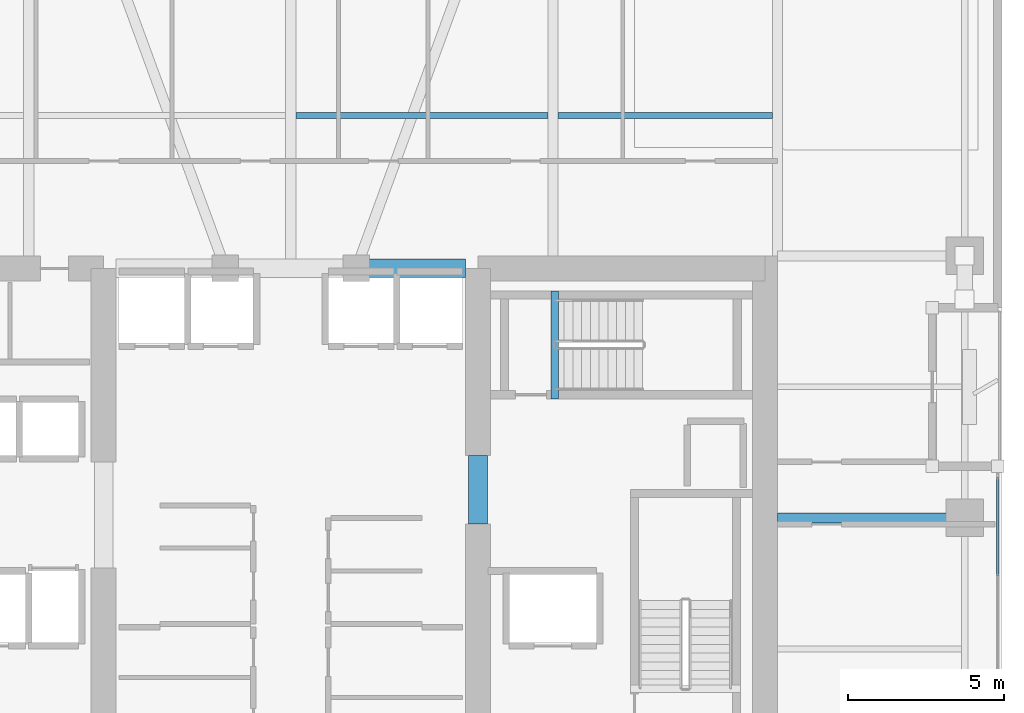
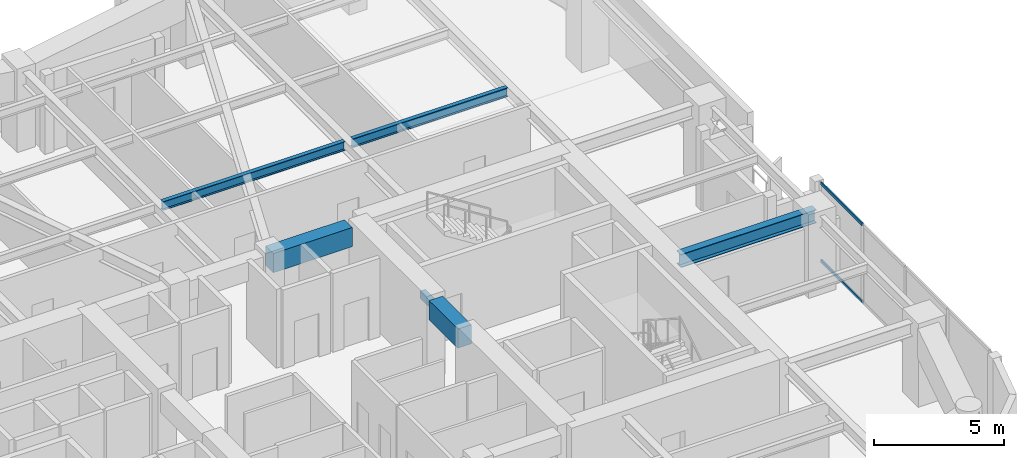
# One storey, part 10 of 30: 6 beams, 2 members, 1 element without a shape of its own.
"""IFC4 building model written with IfcOpenShell, lengths in metres."""

import ifcopenshell
import ifcopenshell.guid

model = None  # the IFC model being written
_history = None  # IfcOwnerHistory: only IFC2X3 demands one
_inside = {}  # id of a spatial element -> (the spatial element, [elements in it])
_under = {}  # id of a project, library or spatial element -> (it, [spatial elements below it])
_declared = {}  # id of a project -> (the project, [libraries it declares])
_typed = {}  # id of a type object -> (the type object, [elements of that type])
_made_of = {}  # id of a material, layer set ... -> (it, [elements and type objects made of it])


def new_model(schema):
    """Start an empty IFC model of exactly this schema.

    Asked for "IFC4X3", IfcOpenShell would pick the latest addendum, in which some entities
    have other attributes; the version numbers below select the first issue.
    IFC2X3 requires an IfcOwnerHistory on every rooted entity: one is made here for all.
    """
    global model, _history
    if schema == "IFC4X3":
        model = ifcopenshell.file(schema_version=(4, 3, 0, 0))
    else:
        model = ifcopenshell.file(schema=schema)
    _inside.clear()
    _under.clear()
    _declared.clear()
    _typed.clear()
    _made_of.clear()
    _history = None
    if model.schema == "IFC2X3":
        org = make("IfcOrganization", Name="unknown")
        user = make(
            "IfcPersonAndOrganization",
            ThePerson=make("IfcPerson", FamilyName="unknown"),
            TheOrganization=org,
        )
        app = make(
            "IfcApplication",
            ApplicationDeveloper=org,
            Version="unknown",
            ApplicationFullName="unknown",
            ApplicationIdentifier="unknown",
        )
        _history = make(
            "IfcOwnerHistory",
            OwningUser=user,
            OwningApplication=app,
            ChangeAction="ADDED",
            CreationDate=0,
        )
    return model


def make(cls, **values):
    """One entity of the class cls with the attributes given. An attribute that is None is left unset."""
    return model.create_entity(
        cls, **{name: value for name, value in values.items() if value is not None}
    )


def rooted(cls, **values):
    """An entity with a GlobalId (a new one), such as an element, a storey or a relation."""
    return make(cls, GlobalId=ifcopenshell.guid.new(), OwnerHistory=_history, **values)


def si_unit(unit_type, name, prefix=None):
    """IfcSIUnit, for example si_unit("LENGTHUNIT", "METRE", prefix="MILLI")."""
    return make("IfcSIUnit", UnitType=unit_type, Prefix=prefix, Name=name)


def assignment(units):
    """IfcUnitAssignment: the units of a project."""
    return None if units is None else make("IfcUnitAssignment", Units=units)


def point(xyz):
    """IfcCartesianPoint."""
    return None if xyz is None else make("IfcCartesianPoint", Coordinates=xyz)


def direction(xyz):
    """IfcDirection."""
    return None if xyz is None else make("IfcDirection", DirectionRatios=xyz)


def frame(location, z_axis=None, x_axis=None):
    """IfcAxis2Placement3D, a coordinate frame: its origin and axes. An axis left out is left unset."""
    return make(
        "IfcAxis2Placement3D",
        Location=point(location),
        Axis=direction(z_axis),
        RefDirection=direction(x_axis),
    )


def frame_2d(location, x_axis=None):
    """IfcAxis2Placement2D, a coordinate frame in the plane: its origin and x axis."""
    return make(
        "IfcAxis2Placement2D", Location=point(location), RefDirection=direction(x_axis)
    )


def origin():
    """The frame at (0, 0, 0) with its axes left unset."""
    return frame((0.0, 0.0, 0.0))


def origin_2d():
    """The frame at (0, 0) in the plane with its x axis left unset."""
    return frame_2d((0.0, 0.0))


def place(relative_to, where):
    """IfcLocalPlacement: puts the frame where relative to a parent placement (None: the world)."""
    return make(
        "IfcLocalPlacement", PlacementRelTo=relative_to, RelativePlacement=where
    )


def context(
    kind, dimensions, precision=None, world=None, true_north=None, identifier=None
):
    """IfcGeometricRepresentationContext, for example the 3D "Model" context."""
    return make(
        "IfcGeometricRepresentationContext",
        ContextIdentifier=identifier,
        ContextType=kind,
        CoordinateSpaceDimension=dimensions,
        Precision=precision,
        WorldCoordinateSystem=world,
        TrueNorth=true_north,
    )


def subcontext(parent, identifier, kind, view, scale=None):
    """IfcGeometricRepresentationSubContext, for example "Body" below "Model"."""
    return make(
        "IfcGeometricRepresentationSubContext",
        ContextIdentifier=identifier,
        ContextType=kind,
        ParentContext=parent,
        TargetScale=scale,
        TargetView=view,
    )


def project(units=None, contexts=None):
    """IfcProject with its units and contexts."""
    return rooted(
        "IfcProject",
        Name="project",
        RepresentationContexts=contexts,
        UnitsInContext=assignment(units),
    )


def spatial(cls, under=None, at=None, **own):
    """A site, building, storey or space (cls), placed at a placement, below another one or the project."""
    s = rooted(cls, ObjectPlacement=at, **own)
    if under is not None:
        _under.setdefault(under.id(), (under, []))[1].append(s)
    return s


def profile(cls, at=None, kind="AREA", **sizes):
    """A parametric profile (cls). Its sizes go by their IFC names, for example OverallWidth=200.0."""
    return make(cls, ProfileType=kind, Position=at, **sizes)


def rectangle(**sizes):
    """IfcRectangleProfileDef."""
    return profile("IfcRectangleProfileDef", **sizes)


def hollow_rectangle(**sizes):
    """IfcRectangleHollowProfileDef."""
    return profile("IfcRectangleHollowProfileDef", **sizes)


def i_section(**sizes):
    """IfcIShapeProfileDef."""
    return profile("IfcIShapeProfileDef", **sizes)


def extrude(swept, where, along, depth):
    """IfcExtrudedAreaSolid: the profile swept, set in the frame where, extruded along a direction by depth."""
    return make(
        "IfcExtrudedAreaSolid",
        SweptArea=swept,
        Position=where,
        ExtrudedDirection=direction(along),
        Depth=depth,
    )


def shape(context_of_items, identifier, shape_type, items):
    """IfcShapeRepresentation: the items that make up one representation, for example the "Body"."""
    return make(
        "IfcShapeRepresentation",
        ContextOfItems=context_of_items,
        RepresentationIdentifier=identifier,
        RepresentationType=shape_type,
        Items=items,
    )


def material(Name=None, Category=None):
    """IfcMaterial."""
    return make("IfcMaterial", Name=Name, Category=Category)


def layer(
    of_material, thickness, ventilated=None, Name=None, Category=None, Priority=None
):
    """IfcMaterialLayer: one layer of a wall or slab, of a material (None: an air gap)."""
    return make(
        "IfcMaterialLayer",
        Material=of_material,
        LayerThickness=thickness,
        IsVentilated=ventilated,
        Name=Name,
        Category=Category,
        Priority=Priority,
    )


def layer_set(layers, Name=None):
    """IfcMaterialLayerSet."""
    return make("IfcMaterialLayerSet", MaterialLayers=layers, LayerSetName=Name)


def material_profile(
    of_material, cross_section, Name=None, Category=None, Priority=None
):
    """IfcMaterialProfile: a cross section and its material."""
    return make(
        "IfcMaterialProfile",
        Name=Name,
        Material=of_material,
        Profile=cross_section,
        Priority=Priority,
        Category=Category,
    )


def profile_set(profiles, Name=None, composite=None):
    """IfcMaterialProfileSet."""
    return make(
        "IfcMaterialProfileSet",
        Name=Name,
        MaterialProfiles=profiles,
        CompositeProfile=composite,
    )


def made_of(thing, what):
    """Note that an element or type object is made of a material, layer set ...; save() writes the relation."""
    if what is not None:
        _made_of.setdefault(what.id(), (what, []))[1].append(thing)
    return thing


def type_object(cls, material=None, **own):
    """A type object (cls), such as IfcWallType, which elements share."""
    return made_of(rooted(cls, **own), material)


def element(
    cls,
    number,
    at=None,
    inside=None,
    cuts=None,
    type_object=None,
    material=None,
    context=None,
    identifier="Body",
    shape_type=None,
    held_by="IfcProductDefinitionShape",
    body=None,
    shapes=None,
    **own,
):
    """One element of the class cls, such as IfcWall. Its Tag is "e" and its number.

    at: its placement. inside: the storey or other place that contains it. cuts: it is an
    opening in that element (IfcRelVoidsElement). A single representation is given by context,
    identifier, shape_type and body (its items); several are given by shapes. held_by: the class
    of the entity that holds the representations. save() writes the other relations.
    """
    e = rooted(cls, Tag="e%d" % number, ObjectPlacement=at, **own)
    if body is not None:
        shapes = [shape(context, identifier, shape_type, body)]
    if shapes is not None:
        e.Representation = make(held_by, Representations=shapes)
    if inside is not None:
        _inside.setdefault(inside.id(), (inside, []))[1].append(e)
    if cuts is not None:
        rooted(
            "IfcRelVoidsElement", RelatingBuildingElement=cuts, RelatedOpeningElement=e
        )
    if type_object is not None:
        _typed.setdefault(type_object.id(), (type_object, []))[1].append(e)
    return made_of(e, material)


def aggregate(whole, parts):
    """IfcRelAggregates: a whole, such as a stair, and the parts it consists of."""
    return rooted("IfcRelAggregates", RelatingObject=whole, RelatedObjects=parts)


def save(model, path):
    """Write the relations noted so far, then the file.

    IfcRelAggregates (storeys below a building ...), IfcRelContainedInSpatialStructure (elements
    in a storey), IfcRelDefinesByType, IfcRelAssociatesMaterial and IfcRelDeclares: one each for
    every whole, place, type object, material and project.
    """
    for whole, parts in _under.values():
        aggregate(whole, parts)
    for where, things in _inside.values():
        rooted(
            "IfcRelContainedInSpatialStructure",
            RelatedElements=things,
            RelatingStructure=where,
        )
    for kind, things in _typed.values():
        rooted("IfcRelDefinesByType", RelatedObjects=things, RelatingType=kind)
    for what, things in _made_of.values():
        rooted("IfcRelAssociatesMaterial", RelatedObjects=things, RelatingMaterial=what)
    for by, libraries in _declared.values():
        rooted("IfcRelDeclares", RelatingContext=by, RelatedDefinitions=libraries)
    model.write(path)


model = new_model("IFC4")

# Units and contexts
model_context = context("Model", 3, precision=1e-05, world=origin(), true_north=direction((0.0, 1.0)))
body_context = subcontext(model_context, "Body", "Model", "MODEL_VIEW")
ifc_project = project(units=[si_unit("LENGTHUNIT", "METRE"), si_unit("AREAUNIT", "SQUARE_METRE"), si_unit("VOLUMEUNIT", "CUBIC_METRE"), si_unit("PLANEANGLEUNIT", "RADIAN"), si_unit("MASSUNIT", "GRAM", prefix="KILO")], contexts=[model_context])

# Site, building, storey
site_placement = place(None, origin())
site = spatial("IfcSite", under=ifc_project, at=site_placement, CompositionType="ELEMENT")
building_placement = place(site_placement, origin())
building = spatial("IfcBuilding", under=site, at=building_placement, Name="Kiyonajd Concourse Tower", CompositionType="ELEMENT")
storey_placement = place(building_placement, frame((0.0, 0.0, 174.0)))
storey = spatial("IfcBuildingStorey", under=building, at=storey_placement, Name="L44", CompositionType="ELEMENT", Elevation=174.0)

# Beams
ifc_material_1 = material(Name="Concrete C60/75", Category="concrete")
ifc_material_profile_1 = material_profile(ifc_material_1, rectangle(XDim=0.60009765625, YDim=0.89990234375, at=origin_2d()), Name="RCBM-600x900")
ifc_profile_set_1 = profile_set([ifc_material_profile_1], Name="Concrete C60/75")
beam_type_1 = type_object("IfcBeamType", Name="BM-COUP-900", PredefinedType="LINTEL", material=ifc_profile_set_1)
beam_1_placement = place(storey_placement, frame((50.10009765625, 44.0, 3.22998046875), z_axis=(1.0, 0.0, 0.0), x_axis=(0.0, 1.0, 0.0)))
element("IfcBeam", 1, at=beam_1_placement, inside=storey, type_object=beam_type_1, Name="L44 Core Coupling Beam N3", PredefinedType="LINTEL", context=body_context, shape_type="SweptSolid", body=[
    extrude(rectangle(XDim=0.60009765625, YDim=0.89990234375, at=origin_2d()), origin(), (0.0, 0.0, 1.0), 3.5),
])
beam_2_placement = place(storey_placement, frame((54.0, 35.800048828125, 3.22998046875), z_axis=(0.0, 1.0, 0.0), x_axis=(-1.0, 0.0, 0.0)))
element("IfcBeam", 2, at=beam_2_placement, inside=storey, type_object=beam_type_1, Name="L44 East Core Throat Coupling Lintel", PredefinedType="LINTEL", context=body_context, shape_type="SweptSolid", body=[
    extrude(rectangle(XDim=0.60009765625, YDim=0.89990234375, at=origin_2d()), origin(), (0.0, 0.0, 1.0), 2.199951171875),
])
ifc_material_2 = material(Name="Steel ASTM A992 Grade 50", Category="steel")
ifc_material_profile_2 = material_profile(ifc_material_2, i_section(OverallWidth=0.180908203125, OverallDepth=0.4169921875, WebThickness=0.010986328125, FlangeThickness=0.018310546875, at=origin_2d()), Name="W410X85")
ifc_profile_set_2 = profile_set([ifc_material_profile_2], Name="Steel ASTM A992 Grade 50")
beam_type_2 = type_object("IfcBeamType", Name="BM-JST-410", PredefinedType="JOIST", material=ifc_profile_set_2)
beam_3_placement = place(storey_placement, frame((48.16357421875, 48.89990234375, 3.471435546875), z_axis=(1.0, 0.0, 0.0), x_axis=(0.0, 1.0, 0.0)))
element("IfcBeam", 3, at=beam_3_placement, inside=storey, type_object=beam_type_2, Name="L44 Secondary Floor Joist", PredefinedType="JOIST", context=body_context, shape_type="SweptSolid", body=[
    extrude(i_section(OverallWidth=0.180908203125, OverallDepth=0.4169921875, WebThickness=0.010986328125, FlangeThickness=0.018310546875, at=origin_2d()), origin(), (0.0, 0.0, 1.0), 8.072998046875),
])
beam_4_placement = place(storey_placement, frame((56.5634765625, 48.89990234375, 3.471435546875), z_axis=(1.0, 0.0, 0.0), x_axis=(0.0, 1.0, 0.0)))
element("IfcBeam", 4, at=beam_4_placement, inside=storey, type_object=beam_type_2, Name="L44 Secondary Floor Joist", PredefinedType="JOIST", context=body_context, shape_type="SweptSolid", body=[
    extrude(i_section(OverallWidth=0.180908203125, OverallDepth=0.4169921875, WebThickness=0.010986328125, FlangeThickness=0.018310546875, at=origin_2d()), origin(), (0.0, 0.0, 1.0), 6.873046875),
])
ifc_material_3 = material(Name="Concrete C50/60", Category="concrete")
ifc_material_profile_3 = material_profile(ifc_material_3, rectangle(XDim=0.239990234375, YDim=0.320068359375, at=origin_2d()), Name="RCBM-240x320")
ifc_profile_set_3 = profile_set([ifc_material_profile_3], Name="Concrete C50/60")
beam_type_3 = type_object("IfcBeamType", Name="BM-LNT-250", PredefinedType="LINTEL", material=ifc_profile_set_3)
beam_5_placement = place(storey_placement, frame((56.4599609375, 39.820068359375, -0.159912109375), z_axis=(0.0, 1.0, 0.0), x_axis=(-1.0, 0.0, 0.0)))
element("IfcBeam", 5, at=beam_5_placement, inside=storey, type_object=beam_type_3, Name="L44 Stair ST3 Threshold Support Beam", PredefinedType="LINTEL", context=body_context, shape_type="SweptSolid", body=[
    extrude(rectangle(XDim=0.239990234375, YDim=0.320068359375, at=origin_2d()), origin(), (0.0, 0.0, 1.0), 3.4599609375),
])
ifc_material_profile_4 = material_profile(ifc_material_2, i_section(OverallWidth=0.326904296875, OverallDepth=0.6220703125, WebThickness=0.015380859375, FlangeThickness=0.0244140625, at=origin_2d()), Name="W610X195")
ifc_profile_set_4 = profile_set([ifc_material_profile_4], Name="Steel ASTM A992 Grade 50")
beam_type_4 = type_object("IfcBeamType", Name="BM-TWR-610A", PredefinedType="BEAM", material=ifc_profile_set_4)
beam_6_placement = place(storey_placement, frame((63.60009765625, 36.0, 3.368896484375), z_axis=(1.0, 0.0, 0.0), x_axis=(0.0, 1.0, 0.0)))
element("IfcBeam", 6, at=beam_6_placement, inside=storey, type_object=beam_type_4, Name="L44 East Lease Girder", PredefinedType="BEAM", context=body_context, shape_type="SweptSolid", body=[
    extrude(i_section(OverallWidth=0.326904296875, OverallDepth=0.6220703125, WebThickness=0.015380859375, FlangeThickness=0.0244140625, at=origin_2d()), origin(), (0.0, 0.0, 1.0), 6.0),
])

# Curtain wall, members
ifc_material_4 = material(Name="Thermally Broken Anodised Aluminium", Category="aluminium")
ifc_layer = layer(ifc_material_4, 0.179931640625)
ifc_layer_set = layer_set([ifc_layer], Name="Thermally Broken Anodised Aluminium")
curtain_wall_type = type_object("IfcCurtainWallType", Name="CW-SYS-03", PredefinedType="NOTDEFINED", material=ifc_layer_set)
curtain_wall_placement = place(storey_placement, origin())
curtain_wall = element("IfcCurtainWall", 7, at=curtain_wall_placement, inside=storey, type_object=curtain_wall_type, Name="L44 Unitised Curtain Wall CW3", PredefinedType="NOTDEFINED")
ifc_material_profile_5 = material_profile(ifc_material_4, hollow_rectangle(XDim=0.06494140625, YDim=0.139892578125, WallThickness=0.00390625, at=origin_2d()), Name="TRAN-65x140")
ifc_profile_set_5 = profile_set([ifc_material_profile_5], Name="Thermally Broken Anodised Aluminium")
member_type = type_object("IfcMemberType", Name="MB-CW-TRAN1", PredefinedType="USERDEFINED", material=ifc_profile_set_5)
member_1_placement = place(storey_placement, frame((70.659912109375, 37.304931640625, 0.032470703125), z_axis=(0.0, -1.0, 0.0), x_axis=(1.0, 0.0, 0.0)))
member_1 = element("IfcMember", 8, at=member_1_placement, type_object=member_type, Name="CW3 transom 1.1", ObjectType="TRANSOM", PredefinedType="USERDEFINED", context=body_context, shape_type="SweptSolid", body=[
    extrude(hollow_rectangle(XDim=0.06494140625, YDim=0.139892578125, WallThickness=0.00390625, at=origin_2d()), origin(), (0.0, 0.0, 1.0), 3.167724609375),
])
member_2_placement = place(storey_placement, frame((70.659912109375, 37.304931640625, 3.6474609375), z_axis=(0.0, -1.0, 0.0), x_axis=(1.0, 0.0, 0.0)))
member_2 = element("IfcMember", 9, at=member_2_placement, type_object=member_type, Name="CW3 transom 1.2", ObjectType="TRANSOM", PredefinedType="USERDEFINED", context=body_context, shape_type="SweptSolid", body=[
    extrude(hollow_rectangle(XDim=0.06494140625, YDim=0.139892578125, WallThickness=0.00390625, at=origin_2d()), origin(), (0.0, 0.0, 1.0), 3.167724609375),
])
aggregate(curtain_wall, [member_1, member_2])

save(model, "model.ifc")
